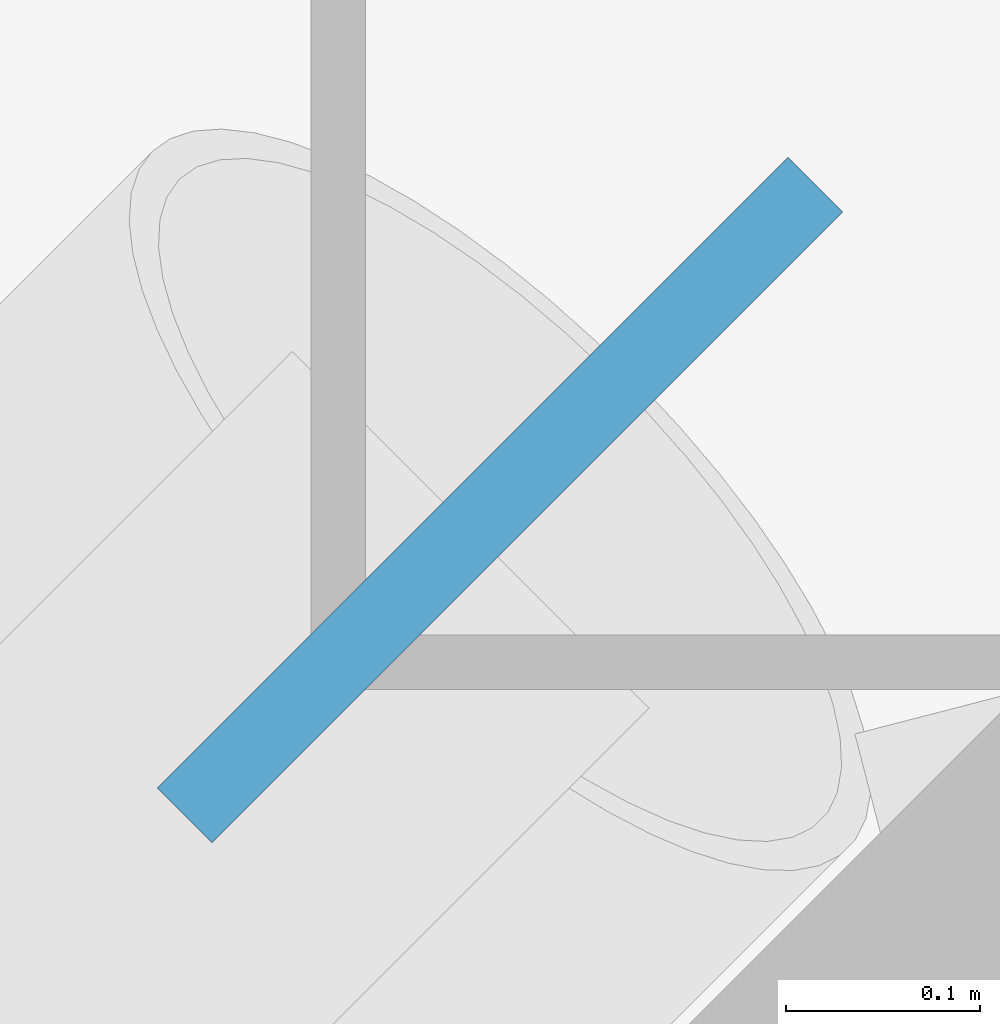
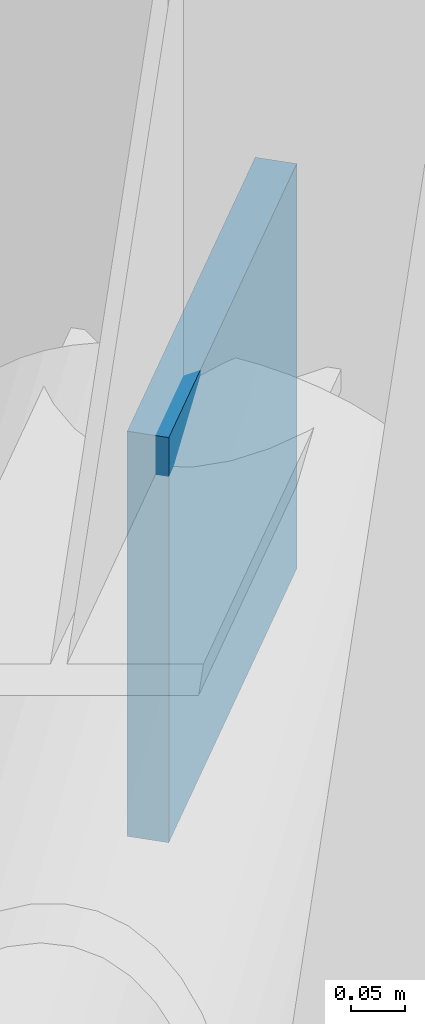
# One storey, part 17 of 19: 1 discrete accessory.
"""IFC4 building model written with IfcOpenShell, lengths in metres."""

from ifc_helpers import new_model, si_unit, direction, frame, origin, origin_2d, place, context, subcontext, project, spatial, rectangle, extrude, material, type_object, element, save


model = new_model("IFC4")

# Units and contexts
model_context = context("Model", 3, precision=1e-05, world=origin(), true_north=direction((0.0, 1.0)))
body_context = subcontext(model_context, "Body", "Model", "MODEL_VIEW")
ifc_project = project(units=[si_unit("LENGTHUNIT", "METRE"), si_unit("AREAUNIT", "SQUARE_METRE"), si_unit("VOLUMEUNIT", "CUBIC_METRE"), si_unit("PLANEANGLEUNIT", "RADIAN"), si_unit("MASSUNIT", "GRAM", prefix="KILO")], contexts=[model_context])

# Site, building, storey
site_placement = place(None, origin())
site = spatial("IfcSite", under=ifc_project, at=site_placement, CompositionType="ELEMENT")
building_placement = place(site_placement, origin())
building = spatial("IfcBuilding", under=site, at=building_placement, Name="Tavrogorsk Clinical Tower", CompositionType="ELEMENT")
storey_placement = place(building_placement, frame((0.0, 0.0, 156.199951171875)))
storey = spatial("IfcBuildingStorey", under=building, at=storey_placement, Name="L35", CompositionType="ELEMENT", Elevation=156.199951171875)

# Discrete accessory
ifc_material = material(Name="Structural steel S440", Category="steel")
discrete_accessory_type = type_object("IfcDiscreteAccessoryType", Name="GussetPlateBracket_25", PredefinedType="BRACKET", material=ifc_material)
discrete_accessory_placement = place(storey_placement, frame((-28.12255859375, 26.217529296875, 2.7470703125), z_axis=(0.0, 0.0, 1.0), x_axis=(0.707106781187, 0.707106781187, 0.0)))
element("IfcDiscreteAccessory", 1, at=discrete_accessory_placement, inside=storey, type_object=discrete_accessory_type, Name="L35 Brace Gusset Plate EXOCRN-L35-3-B", PredefinedType="BRACKET", context=body_context, shape_type="SweptSolid", body=[
    extrude(rectangle(XDim=0.4599609375, YDim=0.0400390625, at=origin_2d()), origin(), (0.0, 0.0, 1.0), 0.4599609375),
])

save(model, "model.ifc")
